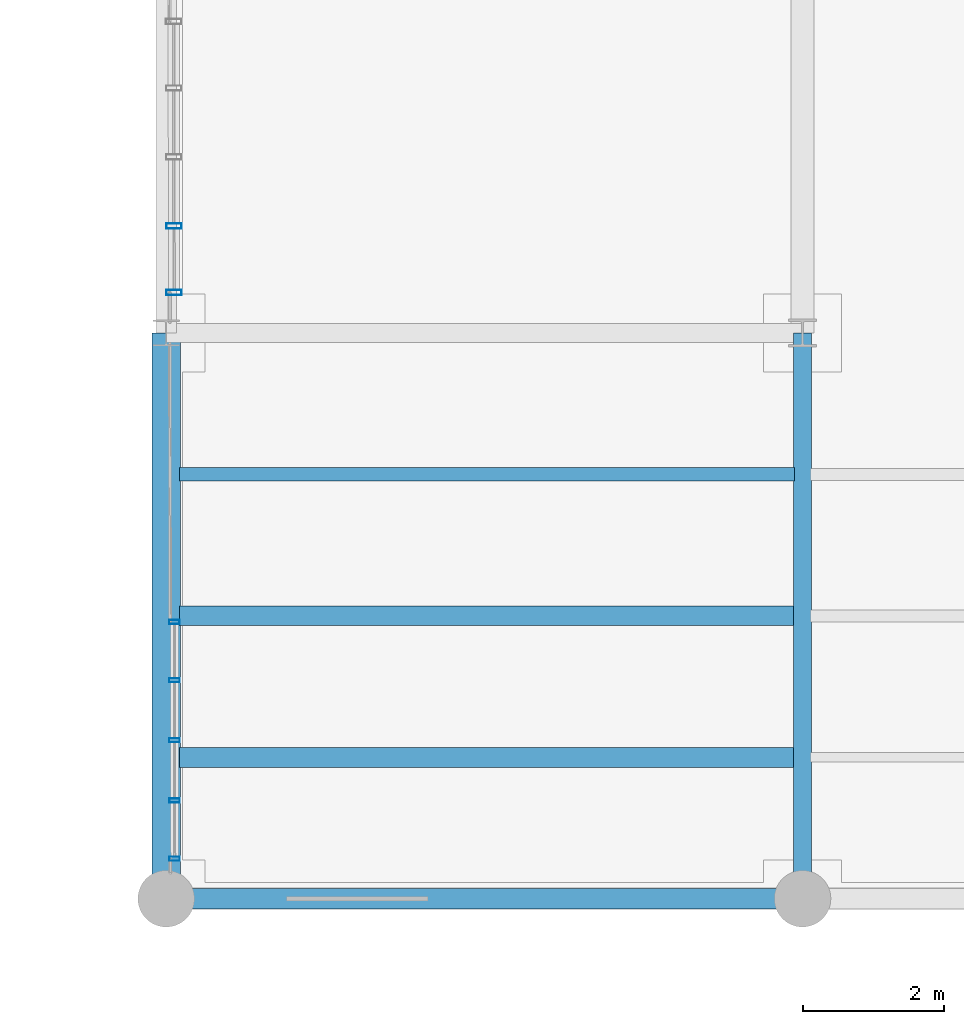
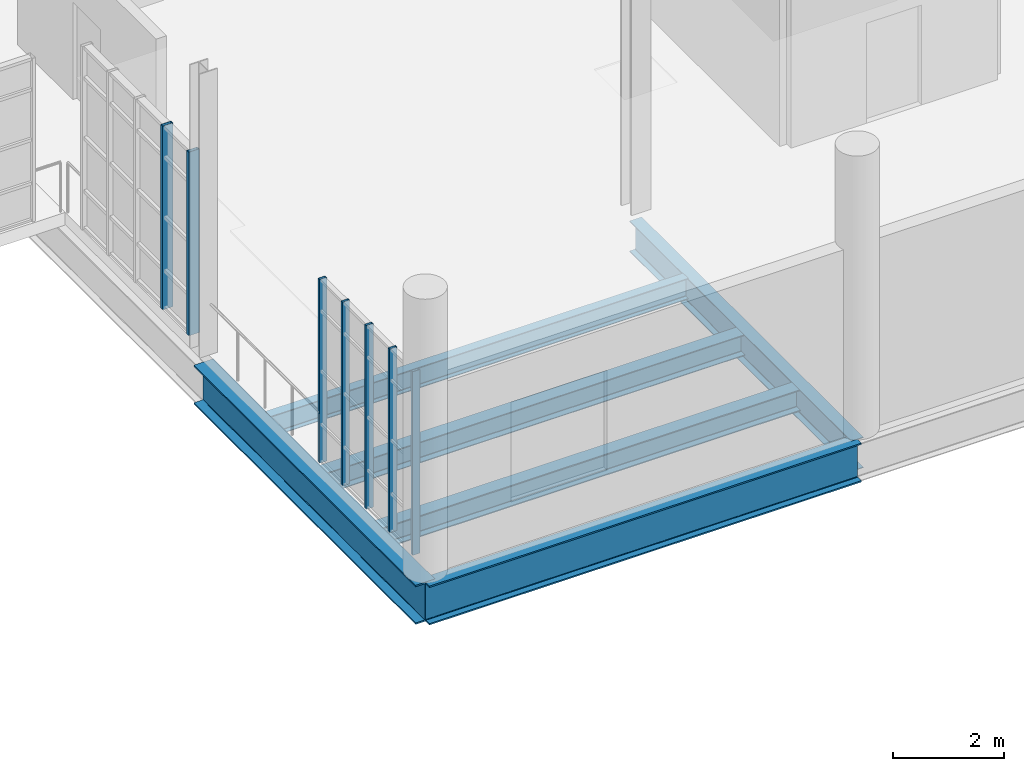
# One storey, part 30 of 118: 7 members, 6 beams, 2 elements without a shape of their own.
"""IFC4 building model written with IfcOpenShell, lengths in metres."""

from ifc_helpers import new_model, si_unit, direction, frame, origin, origin_2d, place, context, subcontext, project, spatial, hollow_rectangle, i_section, extrude, material, layer, layer_set, material_profile, profile_set, type_object, element, aggregate, save


model = new_model("IFC4")

# Units and contexts
model_context = context("Model", 3, precision=1e-05, world=origin(), true_north=direction((0.0, 1.0)))
body_context = subcontext(model_context, "Body", "Model", "MODEL_VIEW")
ifc_project = project(units=[si_unit("LENGTHUNIT", "METRE"), si_unit("AREAUNIT", "SQUARE_METRE"), si_unit("VOLUMEUNIT", "CUBIC_METRE"), si_unit("PLANEANGLEUNIT", "RADIAN"), si_unit("MASSUNIT", "GRAM", prefix="KILO"), si_unit("THERMODYNAMICTEMPERATUREUNIT", "KELVIN"), si_unit("POWERUNIT", "WATT")], contexts=[model_context])

# Site, building, storey
site_placement = place(None, origin())
site = spatial("IfcSite", under=ifc_project, at=site_placement, CompositionType="ELEMENT")
building_placement = place(site_placement, origin())
building = spatial("IfcBuilding", under=site, at=building_placement, Name="Zelmaris Science Centre", CompositionType="ELEMENT")
storey_placement = place(building_placement, frame((0.0, 0.0, 15.60009765625)))
storey = spatial("IfcBuildingStorey", under=building, at=storey_placement, Name="L03", CompositionType="ELEMENT", Elevation=15.60009765625)

# Curtain wall, members
ifc_material_1 = material(Name="Anodised architectural aluminium 6063-T6", Category="aluminium")
ifc_layer_1 = layer(ifc_material_1, 0.219970703125, Name="Anodised architectural aluminium 6063-T6")
ifc_layer_set_1 = layer_set([ifc_layer_1], Name="Anodised architectural aluminium 6063-T6")
curtain_wall_type_1 = type_object("IfcCurtainWallType", Name="Curtain Wall CW-04", PredefinedType="USERDEFINED", material=ifc_layer_set_1)
curtain_wall_1_placement = place(storey_placement, origin())
curtain_wall_1 = element("IfcCurtainWall", 1, at=curtain_wall_1_placement, inside=storey, type_object=curtain_wall_type_1, Name="L03 Unitised curtain wall 308", ObjectType="GLAZED CURTAIN WALL", PredefinedType="USERDEFINED")
ifc_material_profile_1 = material_profile(ifc_material_1, hollow_rectangle(XDim=0.06005859375, YDim=0.14990234375, WallThickness=0.00341796875, at=origin_2d()), Name="ALU-MUL-60X150")
ifc_profile_set_1 = profile_set([ifc_material_profile_1], Name="Anodised architectural aluminium 6063-T6")
member_type_1 = type_object("IfcMemberType", Name="ALU-MUL-60X150", PredefinedType="MULLION", material=ifc_profile_set_1)
member_1_placement = place(storey_placement, frame((108.119384765625, 8.566162109375, -0.01513671875), z_axis=(0.0, 0.0, 1.0), x_axis=(-0.001054178673, 0.999999444354, 0.0)))
member_1 = element("IfcMember", 2, at=member_1_placement, type_object=member_type_1, Name="CW-04 mullion 1", PredefinedType="MULLION", context=body_context, shape_type="SweptSolid", body=[
    extrude(hollow_rectangle(XDim=0.06005859375, YDim=0.14990234375, WallThickness=0.00341796875, at=origin_2d()), origin(), (0.0, 0.0, 1.0), 4.044921875),
])
member_2_placement = place(storey_placement, frame((108.11865234375, 9.39013671875, -0.01513671875), z_axis=(0.0, 0.0, 1.0), x_axis=(-0.001054178673, 0.999999444354, 0.0)))
member_2 = element("IfcMember", 3, at=member_2_placement, type_object=member_type_1, Name="CW-04 mullion 2", PredefinedType="MULLION", context=body_context, shape_type="SweptSolid", body=[
    extrude(hollow_rectangle(XDim=0.06005859375, YDim=0.14990234375, WallThickness=0.00341796875, at=origin_2d()), origin(), (0.0, 0.0, 1.0), 4.044921875),
])
member_3_placement = place(storey_placement, frame((108.11767578125, 10.240234375, -0.01513671875), z_axis=(0.0, 0.0, 1.0), x_axis=(-0.001054178673, 0.999999444354, 0.0)))
member_3 = element("IfcMember", 4, at=member_3_placement, type_object=member_type_1, Name="CW-04 mullion 3", PredefinedType="MULLION", context=body_context, shape_type="SweptSolid", body=[
    extrude(hollow_rectangle(XDim=0.06005859375, YDim=0.14990234375, WallThickness=0.00341796875, at=origin_2d()), origin(), (0.0, 0.0, 1.0), 4.044921875),
])
member_4_placement = place(storey_placement, frame((108.11669921875, 11.090087890625, -0.01513671875), z_axis=(0.0, 0.0, 1.0), x_axis=(-0.001054178673, 0.999999444354, 0.0)))
member_4 = element("IfcMember", 5, at=member_4_placement, type_object=member_type_1, Name="CW-04 mullion 4", PredefinedType="MULLION", context=body_context, shape_type="SweptSolid", body=[
    extrude(hollow_rectangle(XDim=0.06005859375, YDim=0.14990234375, WallThickness=0.00341796875, at=origin_2d()), origin(), (0.0, 0.0, 1.0), 4.044921875),
])
member_5_placement = place(storey_placement, frame((108.115966796875, 11.9140625, -0.01513671875), z_axis=(0.0, 0.0, 1.0), x_axis=(-0.001054178673, 0.999999444354, 0.0)))
member_5 = element("IfcMember", 6, at=member_5_placement, type_object=member_type_1, Name="CW-04 mullion 5", PredefinedType="MULLION", context=body_context, shape_type="SweptSolid", body=[
    extrude(hollow_rectangle(XDim=0.06005859375, YDim=0.14990234375, WallThickness=0.00341796875, at=origin_2d()), origin(), (0.0, 0.0, 1.0), 4.044921875),
])
aggregate(curtain_wall_1, [member_1, member_2, member_3, member_4, member_5])

ifc_layer_2 = layer(ifc_material_1, 0.199951171875, Name="Anodised architectural aluminium 6063-T6")
ifc_layer_set_2 = layer_set([ifc_layer_2], Name="Anodised architectural aluminium 6063-T6")
curtain_wall_type_2 = type_object("IfcCurtainWallType", Name="Curtain Wall CW-02", PredefinedType="USERDEFINED", material=ifc_layer_set_2)
curtain_wall_2_placement = place(storey_placement, origin())
curtain_wall_2 = element("IfcCurtainWall", 7, at=curtain_wall_2_placement, inside=storey, type_object=curtain_wall_type_2, Name="L03 Unitised curtain wall 310", ObjectType="GLAZED CURTAIN WALL", PredefinedType="USERDEFINED")
ifc_material_profile_2 = material_profile(ifc_material_1, hollow_rectangle(XDim=0.074951171875, YDim=0.219970703125, WallThickness=0.0048828125, at=origin_2d()), Name="ALU-MUL-75X220")
ifc_profile_set_2 = profile_set([ifc_material_profile_2], Name="Anodised architectural aluminium 6063-T6")
member_type_2 = type_object("IfcMemberType", Name="ALU-MUL-75X220", PredefinedType="MULLION", material=ifc_profile_set_2)
member_6_placement = place(storey_placement, frame((108.111083984375, 16.573486328125, -0.01513671875), z_axis=(0.0, 0.0, 1.0), x_axis=(-0.001054178673, 0.999999444354, 0.0)))
member_6 = element("IfcMember", 8, at=member_6_placement, type_object=member_type_2, Name="CW-02 mullion 1", PredefinedType="MULLION", context=body_context, shape_type="SweptSolid", body=[
    extrude(hollow_rectangle(XDim=0.074951171875, YDim=0.219970703125, WallThickness=0.0048828125, at=origin_2d()), origin(), (0.0, 0.0, 1.0), 4.044921875),
])
member_7_placement = place(storey_placement, frame((108.110107421875, 17.5146484375, -0.01513671875), z_axis=(0.0, 0.0, 1.0), x_axis=(-0.001054178673, 0.999999444354, 0.0)))
member_7 = element("IfcMember", 9, at=member_7_placement, type_object=member_type_2, Name="CW-02 mullion 2", PredefinedType="MULLION", context=body_context, shape_type="SweptSolid", body=[
    extrude(hollow_rectangle(XDim=0.074951171875, YDim=0.219970703125, WallThickness=0.0048828125, at=origin_2d()), origin(), (0.0, 0.0, 1.0), 4.044921875),
])
aggregate(curtain_wall_2, [member_6, member_7])

# Beams
ifc_material_2 = material(Name="Steel ASTM A992 Grade 50", Category="steel")
ifc_material_profile_3 = material_profile(ifc_material_2, i_section(OverallWidth=0.404052734375, OverallDepth=0.861083984375, WebThickness=0.019775390625, FlangeThickness=0.032470703125, FilletRadius=0.02001953125, at=origin_2d()), Name="W33X221")
ifc_profile_set_3 = profile_set([ifc_material_profile_3], Name="Steel ASTM A992 Grade 50")
beam_type_1 = type_object("IfcBeamType", Name="Beam G-28 W33X221", PredefinedType="BEAM", material=ifc_profile_set_3)
beam_1_placement = place(storey_placement, frame((108.0, 8.0, -0.690673828125), z_axis=(0.0, 1.0, 0.0), x_axis=(-1.0, 0.0, 0.0)))
element("IfcBeam", 10, at=beam_1_placement, inside=storey, type_object=beam_type_1, Name="L03 North-south girder 699", PredefinedType="BEAM", context=body_context, shape_type="SweptSolid", body=[
    extrude(i_section(OverallWidth=0.404052734375, OverallDepth=0.861083984375, WebThickness=0.019775390625, FlangeThickness=0.032470703125, FilletRadius=0.02001953125, at=origin_2d()), origin(), (0.0, 0.0, 1.0), 8.0),
])
ifc_material_profile_4 = material_profile(ifc_material_2, i_section(OverallWidth=0.2919921875, OverallDepth=0.85888671875, WebThickness=0.01708984375, FlangeThickness=0.031005859375, FilletRadius=0.02001953125, at=origin_2d()), Name="W33X169")
ifc_profile_set_4 = profile_set([ifc_material_profile_4], Name="Steel ASTM A992 Grade 50")
beam_type_2 = type_object("IfcBeamType", Name="Beam G-29 W33X169", PredefinedType="BEAM", material=ifc_profile_set_4)
beam_2_placement = place(storey_placement, frame((108.0, 8.0, -0.689697265625), z_axis=(1.0, 0.0, 0.0), x_axis=(0.0, 1.0, 0.0)))
element("IfcBeam", 11, at=beam_2_placement, inside=storey, type_object=beam_type_2, Name="L03 East-west girder 731", PredefinedType="BEAM", context=body_context, shape_type="SweptSolid", body=[
    extrude(i_section(OverallWidth=0.2919921875, OverallDepth=0.85888671875, WebThickness=0.01708984375, FlangeThickness=0.031005859375, FilletRadius=0.02001953125, at=origin_2d()), origin(), (0.0, 0.0, 1.0), 9.0),
])
ifc_material_profile_5 = material_profile(ifc_material_2, i_section(OverallWidth=0.25390625, OverallDepth=0.677978515625, WebThickness=0.01171875, FlangeThickness=0.016357421875, FilletRadius=0.01806640625, at=origin_2d()), Name="W27X84")
ifc_profile_set_5 = profile_set([ifc_material_profile_5], Name="Steel ASTM A992 Grade 50")
beam_type_3 = type_object("IfcBeamType", Name="Beam G-36 W27X84", PredefinedType="BEAM", material=ifc_profile_set_5)
beam_3_placement = place(storey_placement, frame((117.0, 8.0, -0.59912109375), z_axis=(0.0, 1.0, 0.0), x_axis=(-1.0, 0.0, 0.0)))
element("IfcBeam", 12, at=beam_3_placement, inside=storey, type_object=beam_type_3, Name="L03 North-south girder 707", PredefinedType="BEAM", context=body_context, shape_type="SweptSolid", body=[
    extrude(i_section(OverallWidth=0.25390625, OverallDepth=0.677978515625, WebThickness=0.01171875, FlangeThickness=0.016357421875, FilletRadius=0.01806640625, at=origin_2d()), origin(), (0.0, 0.0, 1.0), 8.0),
])
ifc_material_profile_6 = material_profile(ifc_material_2, i_section(OverallWidth=0.281982421875, OverallDepth=0.471923828125, WebThickness=0.013671875, FlangeThickness=0.022216796875, FilletRadius=0.012939453125, at=origin_2d()), Name="W18X97")
ifc_profile_set_6 = profile_set([ifc_material_profile_6], Name="Steel ASTM A992 Grade 50")
beam_type_4 = type_object("IfcBeamType", Name="Beam J-02 W18X97", PredefinedType="JOIST", material=ifc_profile_set_6)
beam_4_placement = place(storey_placement, frame((108.18701171875, 10.0, -0.49609375), z_axis=(1.0, 0.0, 0.0), x_axis=(0.0, 1.0, 0.0)))
element("IfcBeam", 13, at=beam_4_placement, inside=storey, type_object=beam_type_4, Name="L03 Composite floor joist 343", PredefinedType="JOIST", context=body_context, shape_type="SweptSolid", body=[
    extrude(i_section(OverallWidth=0.281982421875, OverallDepth=0.471923828125, WebThickness=0.013671875, FlangeThickness=0.022216796875, FilletRadius=0.012939453125, at=origin_2d()), origin(), (0.0, 0.0, 1.0), 8.700927734375),
])
ifc_material_profile_7 = material_profile(ifc_material_2, i_section(OverallWidth=0.279052734375, OverallDepth=0.4619140625, WebThickness=0.0107421875, FlangeThickness=0.017333984375, FilletRadius=0.012939453125, at=origin_2d()), Name="W18X76")
ifc_profile_set_7 = profile_set([ifc_material_profile_7], Name="Steel ASTM A992 Grade 50")
beam_type_5 = type_object("IfcBeamType", Name="Beam J-03 W18X76", PredefinedType="JOIST", material=ifc_profile_set_7)
beam_5_placement = place(storey_placement, frame((108.18701171875, 12.0, -0.4912109375), z_axis=(1.0, 0.0, 0.0), x_axis=(0.0, 1.0, 0.0)))
element("IfcBeam", 14, at=beam_5_placement, inside=storey, type_object=beam_type_5, Name="L03 Composite floor joist 344", PredefinedType="JOIST", context=body_context, shape_type="SweptSolid", body=[
    extrude(i_section(OverallWidth=0.279052734375, OverallDepth=0.4619140625, WebThickness=0.0107421875, FlangeThickness=0.017333984375, FilletRadius=0.012939453125, at=origin_2d()), origin(), (0.0, 0.0, 1.0), 8.700927734375),
])
ifc_material_profile_8 = material_profile(ifc_material_2, i_section(OverallWidth=0.19091796875, OverallDepth=0.4599609375, WebThickness=0.010009765625, FlangeThickness=0.01611328125, FilletRadius=0.012939453125, at=origin_2d()), Name="W18X55")
ifc_profile_set_8 = profile_set([ifc_material_profile_8], Name="Steel ASTM A992 Grade 50")
beam_type_6 = type_object("IfcBeamType", Name="Beam J-04 W18X55", PredefinedType="JOIST", material=ifc_profile_set_8)
beam_6_placement = place(storey_placement, frame((108.18701171875, 14.0, -0.489990234375), z_axis=(1.0, 0.0, 0.0), x_axis=(0.0, 1.0, 0.0)))
element("IfcBeam", 15, at=beam_6_placement, inside=storey, type_object=beam_type_6, Name="L03 Composite floor joist 345", PredefinedType="JOIST", context=body_context, shape_type="SweptSolid", body=[
    extrude(i_section(OverallWidth=0.19091796875, OverallDepth=0.4599609375, WebThickness=0.010009765625, FlangeThickness=0.01611328125, FilletRadius=0.012939453125, at=origin_2d()), origin(), (0.0, 0.0, 1.0), 8.700927734375),
])

save(model, "model.ifc")
